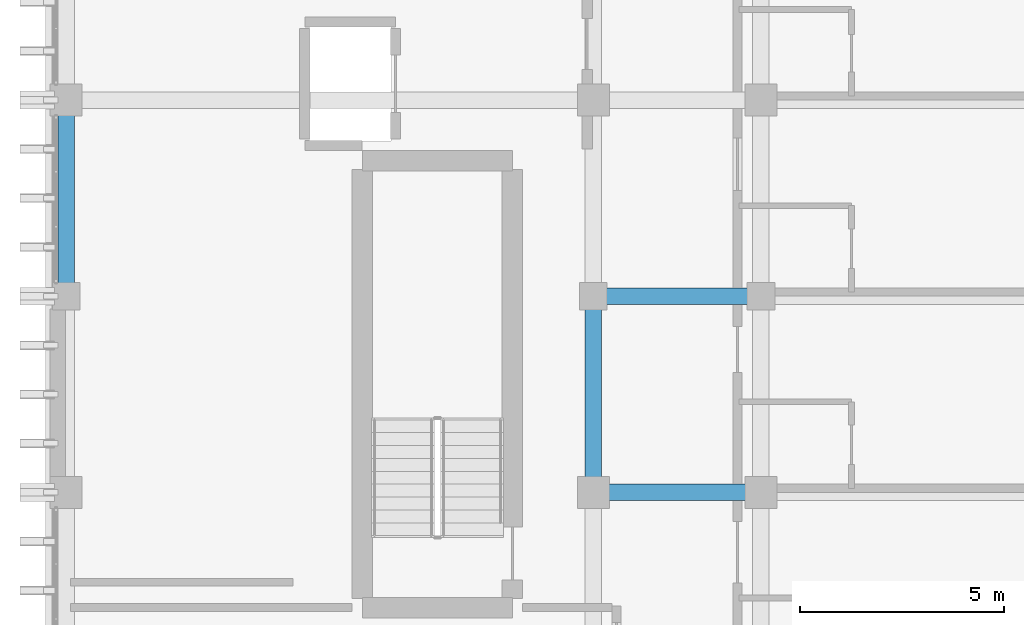
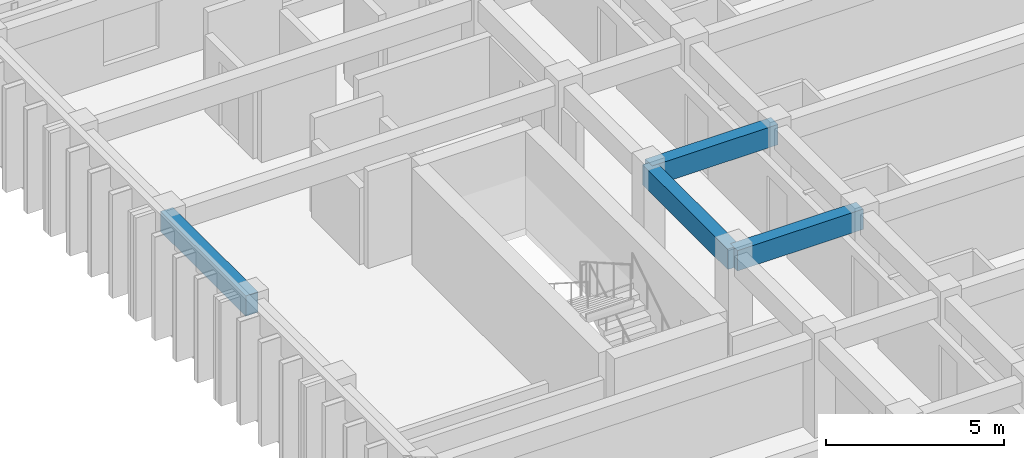
# One storey, part 43 of 68: 4 beams.
"""IFC4 building model written with IfcOpenShell, lengths in metres."""

from ifc_helpers import new_model, si_unit, direction, frame, origin, origin_2d, place, context, subcontext, project, spatial, rectangle, extrude, material, material_profile, profile_set, type_object, element, save


model = new_model("IFC4")

# Units and contexts
model_context = context("Model", 3, precision=1e-05, world=origin(), true_north=direction((0.0, 1.0)))
body_context = subcontext(model_context, "Body", "Model", "MODEL_VIEW")
ifc_project = project(units=[si_unit("LENGTHUNIT", "METRE"), si_unit("AREAUNIT", "SQUARE_METRE"), si_unit("VOLUMEUNIT", "CUBIC_METRE"), si_unit("PLANEANGLEUNIT", "RADIAN"), si_unit("MASSUNIT", "GRAM", prefix="KILO")], contexts=[model_context])

# Site, building, storey
site_placement = place(None, origin())
site = spatial("IfcSite", under=ifc_project, at=site_placement, CompositionType="ELEMENT")
building_placement = place(site_placement, origin())
building = spatial("IfcBuilding", under=site, at=building_placement, Name="Nakhvara Creek Congress Hotel", CompositionType="ELEMENT")
storey_placement = place(building_placement, frame((0.0, 0.0, 24.60009765625)))
storey = spatial("IfcBuildingStorey", under=building, at=storey_placement, Name="L05", CompositionType="ELEMENT", Elevation=24.60009765625)

# Beams
ifc_material = material(Name="Concrete C40/50", Category="concrete")
ifc_material_profile = material_profile(ifc_material, rectangle(XDim=0.39990234375, YDim=0.699951171875, at=origin_2d()), Name="RC-BM 400x700", Category="LoadBearing")
ifc_profile_set = profile_set([ifc_material_profile], Name="Concrete C40/50")
beam_type = type_object("IfcBeamType", Name="BM-RC-400X700", PredefinedType="BEAM", material=ifc_profile_set)
beam_1_placement = place(storey_placement, frame((149.449951171875, 110.39990234375, 2.989990234375), z_axis=(0.0, 1.0, 0.0), x_axis=(-1.0, 0.0, 0.0)))
element("IfcBeam", 1, at=beam_1_placement, inside=storey, type_object=beam_type, Name="Beam B05-L05-2083", PredefinedType="BEAM", context=body_context, shape_type="SweptSolid", body=[
    extrude(rectangle(XDim=0.39990234375, YDim=0.699951171875, at=origin_2d()), origin(), (0.0, 0.0, 1.0), 4.800048828125),
])
beam_2_placement = place(storey_placement, frame((162.35009765625, 105.60009765625, 2.989990234375), z_axis=(1.0, 0.0, 0.0), x_axis=(0.0, 1.0, 0.0)))
element("IfcBeam", 2, at=beam_2_placement, inside=storey, type_object=beam_type, Name="Beam B05-L05-2110", PredefinedType="BEAM", context=body_context, shape_type="SweptSolid", body=[
    extrude(rectangle(XDim=0.39990234375, YDim=0.699951171875, at=origin_2d()), origin(), (0.0, 0.0, 1.0), 4.099853515625),
])
beam_3_placement = place(storey_placement, frame((162.35009765625, 105.60009765625, 2.989990234375), z_axis=(0.0, 1.0, 0.0), x_axis=(-1.0, 0.0, 0.0)))
element("IfcBeam", 3, at=beam_3_placement, inside=storey, type_object=beam_type, Name="Beam B05-L05-2112", PredefinedType="BEAM", context=body_context, shape_type="SweptSolid", body=[
    extrude(rectangle(XDim=0.39990234375, YDim=0.699951171875, at=origin_2d()), origin(), (0.0, 0.0, 1.0), 4.7998046875),
])
beam_4_placement = place(storey_placement, frame((162.35009765625, 110.39990234375, 2.989990234375), z_axis=(1.0, 0.0, 0.0), x_axis=(0.0, 1.0, 0.0)))
element("IfcBeam", 4, at=beam_4_placement, inside=storey, type_object=beam_type, Name="Beam B05-L05-2183", PredefinedType="BEAM", context=body_context, shape_type="SweptSolid", body=[
    extrude(rectangle(XDim=0.39990234375, YDim=0.699951171875, at=origin_2d()), origin(), (0.0, 0.0, 1.0), 4.099853515625),
])

save(model, "model.ifc")
